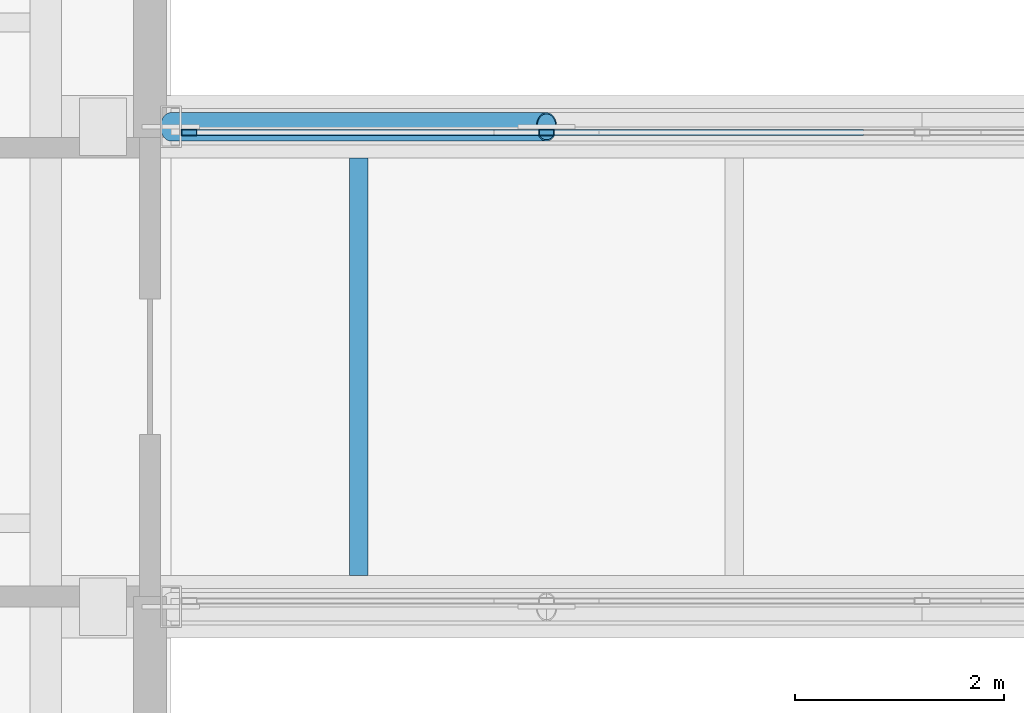
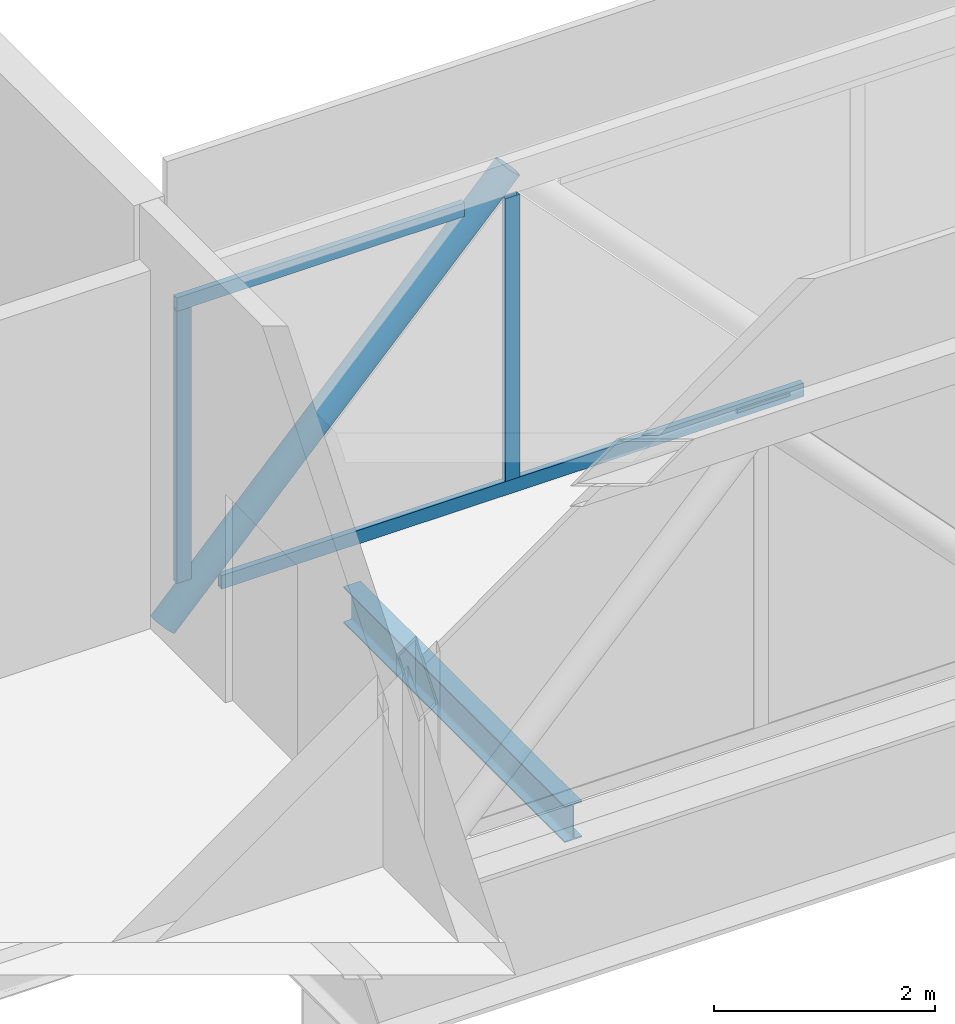
# One storey, part 4 of 17: 5 members, 1 beam, 2 elements without a shape of their own.
"""IFC4 building model written with IfcOpenShell, lengths in metres."""

from ifc_helpers import new_model, si_unit, direction, frame, origin, origin_2d, place, context, subcontext, project, spatial, hollow_rectangle, hollow_circle, i_section, extrude, material, material_profile, profile_set, type_object, element, aggregate, save


model = new_model("IFC4")

# Units and contexts
model_context = context("Model", 3, precision=1e-05, world=origin(), true_north=direction((0.0, 1.0)))
body_context = subcontext(model_context, "Body", "Model", "MODEL_VIEW")
ifc_project = project(units=[si_unit("LENGTHUNIT", "METRE"), si_unit("AREAUNIT", "SQUARE_METRE"), si_unit("VOLUMEUNIT", "CUBIC_METRE"), si_unit("PLANEANGLEUNIT", "RADIAN"), si_unit("MASSUNIT", "GRAM", prefix="KILO")], contexts=[model_context])

# Site, building, storey
site_placement = place(None, origin())
site = spatial("IfcSite", under=ifc_project, at=site_placement, CompositionType="ELEMENT")
building_placement = place(site_placement, origin())
building = spatial("IfcBuilding", under=site, at=building_placement, Name="Kuzgunbayir Cultural Tower", CompositionType="ELEMENT")
storey_placement = place(building_placement, frame((0.0, 0.0, 102.60009765625)))
storey = spatial("IfcBuildingStorey", under=building, at=storey_placement, Name="L29", CompositionType="ELEMENT", Elevation=102.60009765625)

# Beam
ifc_material_1 = material(Name="Steel S355J2", Category="steel")
ifc_material_profile_1 = material_profile(ifc_material_1, i_section(OverallWidth=0.179931640625, OverallDepth=0.39990234375, WebThickness=0.008544921875, FlangeThickness=0.013427734375, FilletRadius=0.02099609375, at=origin_2d()), Name="IPE 400")
ifc_profile_set_1 = profile_set([ifc_material_profile_1], Name="Steel S355J2")
beam_type = type_object("IfcBeamType", Name="BM-EXT-IPE400", PredefinedType="JOIST", material=ifc_profile_set_1)
beam_placement = place(storey_placement, frame((48.60009765625, 31.5, -0.440185546875), z_axis=(0.0, 1.0, 0.0), x_axis=(-1.0, 0.0, 0.0)))
element("IfcBeam", 1, at=beam_placement, inside=storey, type_object=beam_type, Name="L29 Skybridge Deck Cross Beam 1", PredefinedType="JOIST", context=body_context, shape_type="SweptSolid", body=[
    extrude(i_section(OverallWidth=0.179931640625, OverallDepth=0.39990234375, WebThickness=0.008544921875, FlangeThickness=0.013427734375, FilletRadius=0.02099609375, at=origin_2d()), origin(), (0.0, 0.0, 1.0), 4.0),
])

# Curtain wall, member
ifc_material_2 = material(Name="Anodised Aluminium Framing", Category="aluminium")
curtain_wall_type = type_object("IfcCurtainWallType", Name="CW05-SKYBRIDGE", PredefinedType="NOTDEFINED", material=ifc_material_2)
curtain_wall_1_placement = place(storey_placement, origin())
curtain_wall_1 = element("IfcCurtainWall", 2, at=curtain_wall_1_placement, inside=storey, type_object=curtain_wall_type, Name="L29 Skybridge North Curtain Wall Run 1 Fitted Between Truss Members", PredefinedType="NOTDEFINED")
ifc_material_profile_2 = material_profile(ifc_material_2, hollow_rectangle(XDim=0.06005859375, YDim=0.14990234375, WallThickness=0.00390625, at=origin_2d()), Name="RHS 150x60x4")
ifc_profile_set_2 = profile_set([ifc_material_profile_2], Name="Anodised Aluminium Framing")
member_type_1 = type_object("IfcMemberType", Name="MEM-CW-MULLION-150", PredefinedType="MULLION", material=ifc_profile_set_2)
member_1_placement = place(storey_placement, frame((46.97509765625, 35.7451171875, 0.225830078125), z_axis=(0.0, 0.0, 1.0), x_axis=(0.0, 1.0, 0.0)))
member_1 = element("IfcMember", 3, at=member_1_placement, type_object=member_type_1, Name="CW05 mullion 1.1", PredefinedType="MULLION", context=body_context, shape_type="SweptSolid", body=[
    extrude(hollow_rectangle(XDim=0.06005859375, YDim=0.14990234375, WallThickness=0.00390625, at=origin_2d()), origin(), (0.0, 0.0, 1.0), 2.9990234375),
])

curtain_wall_2_placement = place(storey_placement, origin())
curtain_wall_2 = element("IfcCurtainWall", 4, at=curtain_wall_2_placement, inside=storey, type_object=curtain_wall_type, Name="L29 Skybridge North Curtain Wall Run 2 Fitted Between Truss Members", PredefinedType="NOTDEFINED")
member_2_placement = place(storey_placement, frame((50.39990234375, 35.7451171875, 0.14990234375), z_axis=(0.0, 0.0, 1.0), x_axis=(0.0, 1.0, 0.0)))
member_2 = element("IfcMember", 5, at=member_2_placement, type_object=member_type_1, Name="CW05 mullion 2.1", PredefinedType="MULLION", context=body_context, shape_type="SweptSolid", body=[
    extrude(hollow_rectangle(XDim=0.06005859375, YDim=0.14990234375, WallThickness=0.00390625, at=origin_2d()), origin(), (0.0, 0.0, 1.0), 3.117919921875),
])

# Member
ifc_material_profile_3 = material_profile(ifc_material_2, hollow_rectangle(XDim=0.06005859375, YDim=0.14990234375, WallThickness=0.00390625, at=origin_2d()), Name="RHS 150x60x4")
ifc_profile_set_3 = profile_set([ifc_material_profile_3], Name="Anodised Aluminium Framing")
member_type_2 = type_object("IfcMemberType", Name="MEM-CW-TRANSOM-150", PredefinedType="USERDEFINED", material=ifc_profile_set_3)
member_3_placement = place(storey_placement, frame((46.89990234375, 35.7451171875, 3.2998046875), z_axis=(1.0, 0.0, 0.0), x_axis=(0.0, 1.0, 0.0)))
member_3 = element("IfcMember", 6, at=member_3_placement, type_object=member_type_2, Name="CW05 transom 1.1", ObjectType="TRANSOM", PredefinedType="USERDEFINED", context=body_context, shape_type="SweptSolid", body=[
    extrude(hollow_rectangle(XDim=0.06005859375, YDim=0.14990234375, WallThickness=0.00390625, at=origin_2d()), origin(), (0.0, 0.0, 1.0), 2.9990234375),
])

aggregate(curtain_wall_1, [member_1, member_3])

member_4_placement = place(storey_placement, frame((47.363037109375, 35.7451171875, 0.074951171875), z_axis=(1.0, 0.0, 0.0), x_axis=(0.0, 1.0, 0.0)))
member_4 = element("IfcMember", 7, at=member_4_placement, type_object=member_type_2, Name="CW05 transom 2.1", ObjectType="TRANSOM", PredefinedType="USERDEFINED", context=body_context, shape_type="SweptSolid", body=[
    extrude(hollow_rectangle(XDim=0.06005859375, YDim=0.14990234375, WallThickness=0.00390625, at=origin_2d()), origin(), (0.0, 0.0, 1.0), 6.073974609375),
])

aggregate(curtain_wall_2, [member_2, member_4])

ifc_material_3 = material(Name="Steel S460M", Category="steel")
ifc_material_profile_4 = material_profile(ifc_material_3, hollow_circle(Radius=0.136474609375, WallThickness=0.012451171875, at=origin_2d()), Name="CHS 273x12.5")
ifc_profile_set_4 = profile_set([ifc_material_profile_4], Name="Steel S460M")
member_type_3 = type_object("IfcMemberType", Name="MEM-SBG-CHS273", PredefinedType="BRACE", material=ifc_profile_set_4)
member_5_placement = place(storey_placement, frame((46.800048828125, 35.800048828125, -0.239990234375), z_axis=(0.68870404184, 0.0, 0.725042579958), x_axis=(0.0, 1.0, 0.0)))
element("IfcMember", 8, at=member_5_placement, inside=storey, type_object=member_type_3, Name="L29 Skybridge Truss Diagonal N1", PredefinedType="BRACE", context=body_context, shape_type="SweptSolid", body=[
    extrude(hollow_circle(Radius=0.136474609375, WallThickness=0.012451171875, at=origin_2d()), origin(), (0.0, 0.0, 1.0), 5.22705078125),
])

save(model, "model.ifc")
